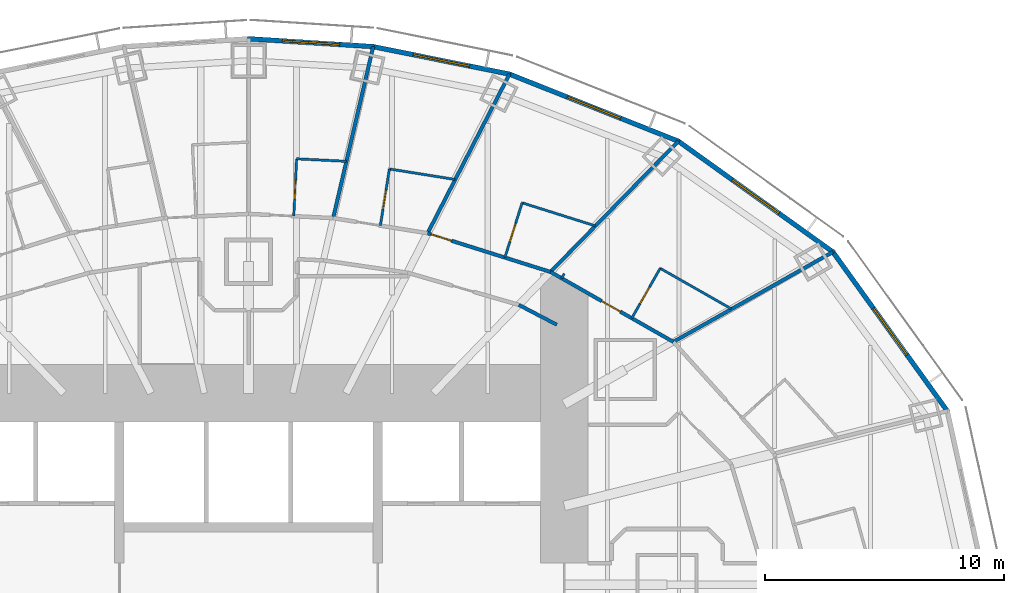
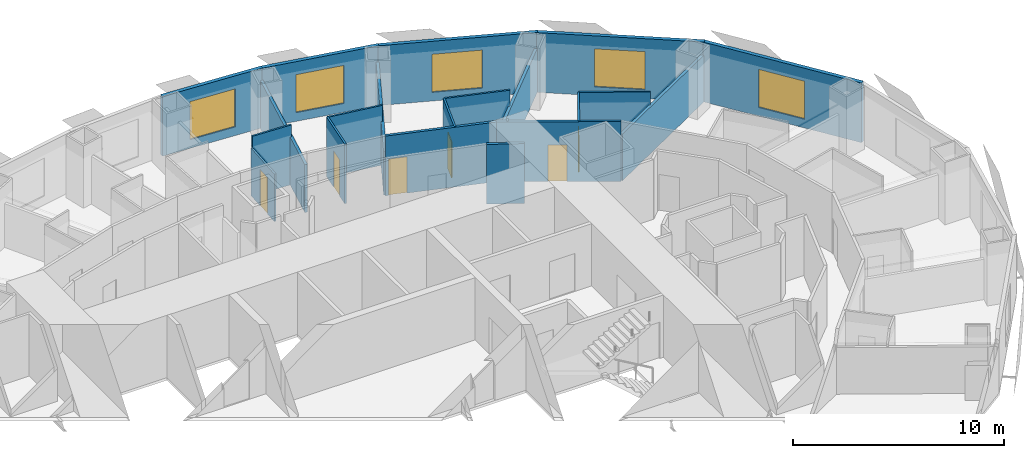
# One storey, part 11 of 17: 21 walls, 6 doors, 5 windows, 11 openings.
"""IFC4 building model written with IfcOpenShell, lengths in metres."""

from ifc_helpers import new_model, si_unit, direction, frame, frame_2d, origin, place, context, subcontext, project, spatial, rectangle, extrude, material, layer, layer_set, type_object, element, fill, save


model = new_model("IFC4")

# Units and contexts
model_context = context("Model", 3, precision=1e-05, world=origin(), true_north=direction((0.0, 1.0)))
body_context = subcontext(model_context, "Body", "Model", "MODEL_VIEW")
ifc_project = project(units=[si_unit("LENGTHUNIT", "METRE"), si_unit("AREAUNIT", "SQUARE_METRE"), si_unit("VOLUMEUNIT", "CUBIC_METRE"), si_unit("PLANEANGLEUNIT", "RADIAN"), si_unit("MASSUNIT", "GRAM", prefix="KILO")], contexts=[model_context])

# Site, building, storey
site_placement = place(None, origin())
site = spatial("IfcSite", under=ifc_project, at=site_placement, CompositionType="ELEMENT")
building_placement = place(site_placement, origin())
building = spatial("IfcBuilding", under=site, at=building_placement, Name="Lantaw Convention Tower", CompositionType="ELEMENT")
storey_placement = place(building_placement, frame((0.0, 0.0, 40.60009765625)))
storey = spatial("IfcBuildingStorey", under=building, at=storey_placement, Name="L07", CompositionType="ELEMENT", Elevation=40.60009765625)

# Wall, opening, door
ifc_material_1 = material(Name="Moisture resistant gypsum board on steel studs", Category="steel")
ifc_layer_1 = layer(ifc_material_1, 0.10009765625)
ifc_layer_set_1 = layer_set([ifc_layer_1], Name="Bathroom wall 100")
wall_type_1 = type_object("IfcWallType", Name="Bathroom wall 100", PredefinedType="PARTITIONING", material=ifc_layer_set_1)
wall_1_placement = place(storey_placement, frame((16.023193359375, 11.138671875, 0.0), z_axis=(0.0, 0.0, 1.0), x_axis=(0.494659381266, 0.869086932663, 0.0)))
wall_1 = element("IfcWall", 1, at=wall_1_placement, inside=storey, type_object=wall_type_1, Name="Bathroom wall 100", PredefinedType="PARTITIONING", context=body_context, shape_type="SweptSolid", body=[
    extrude(rectangle(XDim=2.400146484375, YDim=0.10009765625, at=frame_2d((1.2001953125, 0.0))), origin(), (0.0, 0.0, 1.0), 3.449951171875),
])
opening_1_placement = place(wall_1_placement, frame((0.699951171875, 0.0, 0.0)))
opening_1 = element("IfcOpeningElement", 2, at=opening_1_placement, cuts=wall_1, Name="Opening L07.29", PredefinedType="OPENING", context=body_context, shape_type="SweptSolid", body=[
    extrude(rectangle(XDim=0.800048828125, YDim=2.10009765625, at=frame_2d((0.39990234375, 1.050048828125))), frame((0.0, 0.06005859375, 0.0), z_axis=(0.0, -1.0, 0.0), x_axis=(1.0, 0.0, 0.0)), (0.0, 0.0, 1.0), 0.1201171875),
])
ifc_material_2 = material(Name="Timber", Category="wood")
door_type_1 = type_object("IfcDoorType", Name="Bathroom door 800", OperationType="SINGLE_SWING_LEFT", PredefinedType="DOOR", material=ifc_material_2)
door_1_placement = place(opening_1_placement, origin())
door_1 = element("IfcDoor", 3, at=door_1_placement, inside=storey, type_object=door_type_1, Name="Bathroom door", OperationType="SINGLE_SWING_LEFT", OverallHeight=2.10009765625, OverallWidth=0.800048828125, PredefinedType="DOOR", context=body_context, shape_type="SweptSolid", body=[
    extrude(rectangle(XDim=0.800048828125, YDim=2.10009765625, at=frame_2d((0.39990234375, 1.050048828125))), frame((0.0, 0.02490234375, 0.0), z_axis=(0.0, -1.0, 0.0), x_axis=(1.0, 0.0, 0.0)), (0.0, 0.0, 1.0), 0.050048828125),
])
fill(opening_1, door_1)

# Wall
wall_2_placement = place(storey_placement, frame((17.21044921875, 13.224609375, 0.0), z_axis=(0.0, 0.0, 1.0), x_axis=(0.869041592831, -0.494739032147, 0.0)))
element("IfcWall", 4, at=wall_2_placement, inside=storey, type_object=wall_type_1, Name="Bathroom wall 100", PredefinedType="PARTITIONING", context=body_context, shape_type="SweptSolid", body=[
    extrude(rectangle(XDim=3.419677734375, YDim=0.10009765625, at=frame_2d((1.7099609375, 0.0))), origin(), (0.0, 0.0, 1.0), 3.449951171875),
])

# Wall, opening, door
wall_3_placement = place(storey_placement, frame((10.71728515625, 13.67431640625, 0.0), z_axis=(0.0, 0.0, 1.0), x_axis=(0.30049839721, 0.953782319649, 0.0)))
wall_3 = element("IfcWall", 5, at=wall_3_placement, inside=storey, type_object=wall_type_1, Name="Bathroom wall 100", PredefinedType="PARTITIONING", context=body_context, shape_type="SweptSolid", body=[
    extrude(rectangle(XDim=2.39990234375, YDim=0.10009765625, at=frame_2d((1.199951171875, 0.0))), origin(), (0.0, 0.0, 1.0), 3.449951171875),
])
opening_2_placement = place(wall_3_placement, frame((0.699951171875, 0.0, 0.0)))
opening_2 = element("IfcOpeningElement", 6, at=opening_2_placement, cuts=wall_3, Name="Opening L07.31", PredefinedType="OPENING", context=body_context, shape_type="SweptSolid", body=[
    extrude(rectangle(XDim=0.800048828125, YDim=2.10009765625, at=frame_2d((0.39990234375, 1.050048828125))), frame((0.0, 0.06005859375, 0.0), z_axis=(0.0, -1.0, 0.0), x_axis=(1.0, 0.0, 0.0)), (0.0, 0.0, 1.0), 0.1201171875),
])
door_2_placement = place(opening_2_placement, origin())
door_2 = element("IfcDoor", 7, at=door_2_placement, inside=storey, type_object=door_type_1, Name="Bathroom door", OperationType="SINGLE_SWING_LEFT", OverallHeight=2.10009765625, OverallWidth=0.800048828125, PredefinedType="DOOR", context=body_context, shape_type="SweptSolid", body=[
    extrude(rectangle(XDim=0.800048828125, YDim=2.10009765625, at=frame_2d((0.39990234375, 1.050048828125))), frame((0.0, 0.02490234375, 0.0), z_axis=(0.0, -1.0, 0.0), x_axis=(1.0, 0.0, 0.0)), (0.0, 0.0, 1.0), 0.050048828125),
])
fill(opening_2, door_2)

# Wall
wall_4_placement = place(storey_placement, frame((11.4384765625, 15.96337890625, 0.0), z_axis=(0.0, 0.0, 1.0), x_axis=(0.953784420519, -0.300491728963, 0.0)))
element("IfcWall", 8, at=wall_4_placement, inside=storey, type_object=wall_type_1, Name="Bathroom wall 100", PredefinedType="PARTITIONING", context=body_context, shape_type="SweptSolid", body=[
    extrude(rectangle(XDim=3.197021484375, YDim=0.10009765625, at=frame_2d((1.5986328125, 0.0))), origin(), (0.0, 0.0, 1.0), 3.449951171875),
])

# Wall, opening, door
wall_5_placement = place(storey_placement, frame((5.51123046875, 15.008056640625, 0.0), z_axis=(0.0, 0.0, 1.0), x_axis=(0.157780217218, 0.987474254376, 0.0)))
wall_5 = element("IfcWall", 9, at=wall_5_placement, inside=storey, type_object=wall_type_1, Name="Bathroom wall 100", PredefinedType="PARTITIONING", context=body_context, shape_type="SweptSolid", body=[
    extrude(rectangle(XDim=2.39990234375, YDim=0.10009765625, at=frame_2d((1.199951171875, 0.0))), origin(), (0.0, 0.0, 1.0), 3.449951171875),
])
opening_3_placement = place(wall_5_placement, frame((0.699951171875, 0.0, 0.0)))
opening_3 = element("IfcOpeningElement", 10, at=opening_3_placement, cuts=wall_5, Name="Opening L07.33", PredefinedType="OPENING", context=body_context, shape_type="SweptSolid", body=[
    extrude(rectangle(XDim=0.800048828125, YDim=2.10009765625, at=frame_2d((0.39990234375, 1.050048828125))), frame((0.0, 0.06005859375, 0.0), z_axis=(0.0, -1.0, 0.0), x_axis=(1.0, 0.0, 0.0)), (0.0, 0.0, 1.0), 0.1201171875),
])
door_3_placement = place(opening_3_placement, origin())
door_3 = element("IfcDoor", 11, at=door_3_placement, inside=storey, type_object=door_type_1, Name="Bathroom door", OperationType="SINGLE_SWING_LEFT", OverallHeight=2.10009765625, OverallWidth=0.800048828125, PredefinedType="DOOR", context=body_context, shape_type="SweptSolid", body=[
    extrude(rectangle(XDim=0.800048828125, YDim=2.10009765625, at=frame_2d((0.39990234375, 1.050048828125))), frame((0.0, 0.02490234375, 0.0), z_axis=(0.0, -1.0, 0.0), x_axis=(1.0, 0.0, 0.0)), (0.0, 0.0, 1.0), 0.050048828125),
])
fill(opening_3, door_3)

# Wall
wall_6_placement = place(storey_placement, frame((5.889892578125, 17.3779296875, 0.0), z_axis=(0.0, 0.0, 1.0), x_axis=(0.987476824576, -0.15776413067, 0.0)))
element("IfcWall", 12, at=wall_6_placement, inside=storey, type_object=wall_type_1, Name="Bathroom wall 100", PredefinedType="PARTITIONING", context=body_context, shape_type="SweptSolid", body=[
    extrude(rectangle(XDim=2.776123046875, YDim=0.10009765625, at=frame_2d((1.38818359375, 0.0))), origin(), (0.0, 0.0, 1.0), 3.449951171875),
])

# Wall, opening, door
wall_7_placement = place(storey_placement, frame((1.8896484375, 15.40576171875, 0.0), z_axis=(0.0, 0.0, 1.0), x_axis=(0.049947764234, 0.998751831462, 0.0)))
wall_7 = element("IfcWall", 13, at=wall_7_placement, inside=storey, type_object=wall_type_1, Name="Bathroom wall 100", PredefinedType="PARTITIONING", context=body_context, shape_type="SweptSolid", body=[
    extrude(rectangle(XDim=2.39990234375, YDim=0.10009765625, at=frame_2d((1.199951171875, 0.0))), origin(), (0.0, 0.0, 1.0), 2.748779296875),
])
opening_4_placement = place(wall_7_placement, frame((0.699951171875, 0.0, 0.0)))
opening_4 = element("IfcOpeningElement", 14, at=opening_4_placement, cuts=wall_7, Name="Opening L07.35", PredefinedType="OPENING", context=body_context, shape_type="SweptSolid", body=[
    extrude(rectangle(XDim=0.800048828125, YDim=2.10009765625, at=frame_2d((0.39990234375, 1.050048828125))), frame((0.0, 0.06005859375, 0.0), z_axis=(0.0, -1.0, 0.0), x_axis=(1.0, 0.0, 0.0)), (0.0, 0.0, 1.0), 0.1201171875),
])
door_4_placement = place(opening_4_placement, origin())
door_4 = element("IfcDoor", 15, at=door_4_placement, inside=storey, type_object=door_type_1, Name="Bathroom door", OperationType="SINGLE_SWING_LEFT", OverallHeight=2.10009765625, OverallWidth=0.800048828125, PredefinedType="DOOR", context=body_context, shape_type="SweptSolid", body=[
    extrude(rectangle(XDim=0.800048828125, YDim=2.10009765625, at=frame_2d((0.39990234375, 1.050048828125))), frame((0.0, 0.02490234375, 0.0), z_axis=(0.0, -1.0, 0.0), x_axis=(1.0, 0.0, 0.0)), (0.0, 0.0, 1.0), 0.050048828125),
])
fill(opening_4, door_4)

# Wall
wall_8_placement = place(storey_placement, frame((2.009521484375, 17.802734375, 0.0), z_axis=(0.0, 0.0, 1.0), x_axis=(0.998754095132, -0.049902479477, 0.0)))
element("IfcWall", 16, at=wall_8_placement, inside=storey, type_object=wall_type_1, Name="Bathroom wall 100", PredefinedType="PARTITIONING", context=body_context, shape_type="SweptSolid", body=[
    extrude(rectangle(XDim=2.079345703125, YDim=0.10009765625, at=frame_2d((1.03955078125, 0.0))), origin(), (0.0, 0.0, 1.0), 3.449951171875),
])

# Wall, opening, door
ifc_material_3 = material(Name="Gypsum board on steel studs, fire rated", Category="steel")
ifc_layer_2 = layer(ifc_material_3, 0.14990234375)
ifc_layer_set_2 = layer_set([ifc_layer_2], Name="Corridor wall 150 EI 60")
wall_type_2 = type_object("IfcWallType", Name="Corridor wall 150 EI 60", PredefinedType="PARTITIONING", material=ifc_layer_set_2)
wall_9_placement = place(storey_placement, frame((17.761474609375, 10.1494140625, 0.0), z_axis=(0.0, 0.0, 1.0), x_axis=(-0.86907565943, 0.494679187136, 0.0)))
wall_9 = element("IfcWall", 17, at=wall_9_placement, inside=storey, type_object=wall_type_2, Name="Corridor wall 150", PredefinedType="PARTITIONING", context=body_context, shape_type="SweptSolid", body=[
    extrude(rectangle(XDim=5.91064453125, YDim=0.14990234375, at=frame_2d((2.955322265625, 0.0))), origin(), (0.0, 0.0, 1.0), 3.449951171875),
])
opening_5_placement = place(wall_9_placement, frame((2.550048828125, 0.0, 0.0)))
opening_5 = element("IfcOpeningElement", 18, at=opening_5_placement, cuts=wall_9, Name="Opening L07.30", PredefinedType="OPENING", context=body_context, shape_type="SweptSolid", body=[
    extrude(rectangle(XDim=0.89990234375, YDim=2.10009765625, at=frame_2d((0.449951171875, 1.050048828125))), frame((0.0, 0.0849609375, 0.0), z_axis=(0.0, -1.0, 0.0), x_axis=(1.0, 0.0, 0.0)), (0.0, 0.0, 1.0), 0.169921875),
])
ifc_material_4 = material(Name="Steel, fire rated", Category="steel")
door_type_2 = type_object("IfcDoorType", Name="Guest room entrance door FD30S", OperationType="SINGLE_SWING_LEFT", PredefinedType="DOOR", material=ifc_material_4)
door_5_placement = place(opening_5_placement, origin())
door_5 = element("IfcDoor", 19, at=door_5_placement, inside=storey, type_object=door_type_2, Name="Guest room entrance door", OperationType="SINGLE_SWING_LEFT", OverallHeight=2.10009765625, OverallWidth=0.89990234375, PredefinedType="DOOR", context=body_context, shape_type="SweptSolid", body=[
    extrude(rectangle(XDim=0.89990234375, YDim=2.10009765625, at=frame_2d((0.449951171875, 1.050048828125))), frame((0.0, 0.02490234375, 0.0), z_axis=(0.0, -1.0, 0.0), x_axis=(1.0, 0.0, 0.0)), (0.0, 0.0, 1.0), 0.050048828125),
])
fill(opening_5, door_5)

wall_10_placement = place(storey_placement, frame((12.624755859375, 13.0732421875, 0.0), z_axis=(0.0, 0.0, 1.0), x_axis=(-0.953774229808, 0.30052407317, 0.0)))
wall_10 = element("IfcWall", 20, at=wall_10_placement, inside=storey, type_object=wall_type_2, Name="Corridor wall 150", PredefinedType="PARTITIONING", context=body_context, shape_type="SweptSolid", body=[
    extrude(rectangle(XDim=5.3876953125, YDim=0.14990234375, at=frame_2d((2.69384765625, 0.0))), origin(), (0.0, 0.0, 1.0), 3.449951171875),
])
opening_6_placement = place(wall_10_placement, frame((4.337646484375, 0.0, 0.0)))
opening_6 = element("IfcOpeningElement", 21, at=opening_6_placement, cuts=wall_10, Name="Opening L07.32", PredefinedType="OPENING", context=body_context, shape_type="SweptSolid", body=[
    extrude(rectangle(XDim=0.89990234375, YDim=2.10009765625, at=frame_2d((0.449951171875, 1.050048828125))), frame((0.0, 0.0849609375, 0.0), z_axis=(0.0, -1.0, 0.0), x_axis=(1.0, 0.0, 0.0)), (0.0, 0.0, 1.0), 0.169921875),
])
door_6_placement = place(opening_6_placement, origin())
door_6 = element("IfcDoor", 22, at=door_6_placement, inside=storey, type_object=door_type_2, Name="Guest room entrance door", OperationType="SINGLE_SWING_LEFT", OverallHeight=2.10009765625, OverallWidth=0.89990234375, PredefinedType="DOOR", context=body_context, shape_type="SweptSolid", body=[
    extrude(rectangle(XDim=0.89990234375, YDim=2.10009765625, at=frame_2d((0.449951171875, 1.050048828125))), frame((0.0, 0.02490234375, 0.0), z_axis=(0.0, -1.0, 0.0), x_axis=(1.0, 0.0, 0.0)), (0.0, 0.0, 1.0), 0.050048828125),
])
fill(opening_6, door_6)

# Wall
wall_11_placement = place(storey_placement, frame((12.889892578125, 10.86474609375, 0.0), z_axis=(0.0, 0.0, 1.0), x_axis=(-0.886301440762, 0.463108795104, 0.0)))
element("IfcWall", 23, at=wall_11_placement, inside=storey, type_object=wall_type_2, Name="Corridor wall 150", PredefinedType="PARTITIONING", context=body_context, shape_type="SweptSolid", body=[
    extrude(rectangle(XDim=1.798095703125, YDim=0.14990234375, at=frame_2d((0.89892578125, 0.0))), origin(), (0.0, 0.0, 1.0), 3.449951171875),
])

# Wall, opening, window
ifc_material_5 = material(Name="Insulated aluminium panel on steel frame", Category="steel")
ifc_layer_3 = layer(ifc_material_5, 0.199951171875)
ifc_layer_set_3 = layer_set([ifc_layer_3], Name="External wall 200")
wall_type_3 = type_object("IfcWallType", Name="External wall 200", PredefinedType="SOLIDWALL", material=ifc_layer_set_3)
wall_12_placement = place(storey_placement, frame((29.260498046875, 7.199951171875, 0.0), z_axis=(0.0, 0.0, 1.0), x_axis=(-0.583937613703, 0.811798536155, 0.0)))
wall_12 = element("IfcWall", 24, at=wall_12_placement, inside=storey, type_object=wall_type_3, Name="Facade panel wall", PredefinedType="SOLIDWALL", context=body_context, shape_type="SweptSolid", body=[
    extrude(rectangle(XDim=8.322998046875, YDim=0.199951171875, at=frame_2d((4.16162109375, 0.0))), origin(), (0.0, 0.0, 1.0), 3.449951171875),
])
opening_7_placement = place(wall_12_placement, frame((2.96142578125, 0.0, 0.5)))
opening_7 = element("IfcOpeningElement", 25, at=opening_7_placement, cuts=wall_12, Name="Opening W1", PredefinedType="OPENING", context=body_context, shape_type="SweptSolid", body=[
    extrude(rectangle(XDim=2.39990234375, YDim=2.199951171875, at=frame_2d((1.199951171875, 1.10009765625))), frame((0.0, 0.10986328125, 0.0), z_axis=(0.0, -1.0, 0.0), x_axis=(1.0, 0.0, 0.0)), (0.0, 0.0, 1.0), 0.219970703125),
])
ifc_material_6 = material(Name="Aluminium frame, clear insulating glass", Category="aluminium")
window_type = type_object("IfcWindowType", Name="Guest room window 2400x2200", PartitioningType="SINGLE_PANEL", PredefinedType="WINDOW", material=ifc_material_6)
window_1_placement = place(opening_7_placement, origin())
window_1 = element("IfcWindow", 26, at=window_1_placement, inside=storey, type_object=window_type, Name="Guest room window", OverallHeight=2.199951171875, OverallWidth=2.39990234375, PartitioningType="SINGLE_PANEL", PredefinedType="WINDOW", context=body_context, shape_type="SweptSolid", body=[
    extrude(rectangle(XDim=2.39990234375, YDim=2.199951171875, at=frame_2d((1.199951171875, 1.10009765625))), frame((0.0, 0.030029296875, 0.0), z_axis=(0.0, -1.0, 0.0), x_axis=(1.0, 0.0, 0.0)), (0.0, 0.0, 1.0), 0.06005859375),
])
fill(opening_7, window_1)

wall_13_placement = place(storey_placement, frame((24.482421875, 13.87451171875, 0.0), z_axis=(0.0, 0.0, 1.0), x_axis=(-0.812791321576, 0.582554948112, 0.0)))
wall_13 = element("IfcWall", 27, at=wall_13_placement, inside=storey, type_object=wall_type_3, Name="Facade panel wall", PredefinedType="SOLIDWALL", context=body_context, shape_type="SweptSolid", body=[
    extrude(rectangle(XDim=8.063232421875, YDim=0.199951171875, at=frame_2d((4.03173828125, 0.0))), origin(), (0.0, 0.0, 1.0), 3.449951171875),
])
opening_8_placement = place(wall_13_placement, frame((2.83154296875, 0.0, 0.5)))
opening_8 = element("IfcOpeningElement", 28, at=opening_8_placement, cuts=wall_13, Name="Opening W1", PredefinedType="OPENING", context=body_context, shape_type="SweptSolid", body=[
    extrude(rectangle(XDim=2.39990234375, YDim=2.199951171875, at=frame_2d((1.199951171875, 1.10009765625))), frame((0.0, 0.10986328125, 0.0), z_axis=(0.0, -1.0, 0.0), x_axis=(1.0, 0.0, 0.0)), (0.0, 0.0, 1.0), 0.219970703125),
])
window_2_placement = place(opening_8_placement, origin())
window_2 = element("IfcWindow", 29, at=window_2_placement, inside=storey, type_object=window_type, Name="Guest room window", OverallHeight=2.199951171875, OverallWidth=2.39990234375, PartitioningType="SINGLE_PANEL", PredefinedType="WINDOW", context=body_context, shape_type="SweptSolid", body=[
    extrude(rectangle(XDim=2.39990234375, YDim=2.199951171875, at=frame_2d((1.199951171875, 1.10009765625))), frame((0.0, 0.030029296875, 0.0), z_axis=(0.0, -1.0, 0.0), x_axis=(1.0, 0.0, 0.0)), (0.0, 0.0, 1.0), 0.06005859375),
])
fill(opening_8, window_2)

wall_14_placement = place(storey_placement, frame((18.018310546875, 18.522705078125, 0.0), z_axis=(0.0, 0.0, 1.0), x_axis=(-0.929358351251, 0.369178892895, 0.0)))
wall_14 = element("IfcWall", 30, at=wall_14_placement, inside=storey, type_object=wall_type_3, Name="Facade panel wall", PredefinedType="SOLIDWALL", context=body_context, shape_type="SweptSolid", body=[
    extrude(rectangle(XDim=7.6923828125, YDim=0.199951171875, at=frame_2d((3.84619140625, 0.0))), origin(), (0.0, 0.0, 1.0), 3.449951171875),
])
opening_9_placement = place(wall_14_placement, frame((2.64599609375, 0.0, 0.5)))
opening_9 = element("IfcOpeningElement", 31, at=opening_9_placement, cuts=wall_14, Name="Opening W1", PredefinedType="OPENING", context=body_context, shape_type="SweptSolid", body=[
    extrude(rectangle(XDim=2.39990234375, YDim=2.199951171875, at=frame_2d((1.199951171875, 1.10009765625))), frame((0.0, 0.10986328125, 0.0), z_axis=(0.0, -1.0, 0.0), x_axis=(1.0, 0.0, 0.0)), (0.0, 0.0, 1.0), 0.219970703125),
])
window_3_placement = place(opening_9_placement, origin())
window_3 = element("IfcWindow", 32, at=window_3_placement, inside=storey, type_object=window_type, Name="Guest room window", OverallHeight=2.199951171875, OverallWidth=2.39990234375, PartitioningType="SINGLE_PANEL", PredefinedType="WINDOW", context=body_context, shape_type="SweptSolid", body=[
    extrude(rectangle(XDim=2.39990234375, YDim=2.199951171875, at=frame_2d((1.199951171875, 1.10009765625))), frame((0.0, 0.030029296875, 0.0), z_axis=(0.0, -1.0, 0.0), x_axis=(1.0, 0.0, 0.0)), (0.0, 0.0, 1.0), 0.06005859375),
])
fill(opening_9, window_3)

wall_15_placement = place(storey_placement, frame((10.956787109375, 21.336669921875, 0.0), z_axis=(0.0, 0.0, 1.0), x_axis=(-0.980251657452, 0.197754110105, 0.0)))
wall_15 = element("IfcWall", 33, at=wall_15_placement, inside=storey, type_object=wall_type_3, Name="Facade panel wall", PredefinedType="SOLIDWALL", context=body_context, shape_type="SweptSolid", body=[
    extrude(rectangle(XDim=5.90380859375, YDim=0.199951171875, at=frame_2d((2.951904296875, 0.0))), origin(), (0.0, 0.0, 1.0), 3.449951171875),
])
opening_10_placement = place(wall_15_placement, frame((1.751708984375, 0.0, 0.5)))
opening_10 = element("IfcOpeningElement", 34, at=opening_10_placement, cuts=wall_15, Name="Opening W1", PredefinedType="OPENING", context=body_context, shape_type="SweptSolid", body=[
    extrude(rectangle(XDim=2.39990234375, YDim=2.199951171875, at=frame_2d((1.199951171875, 1.10009765625))), frame((0.0, 0.10986328125, 0.0), z_axis=(0.0, -1.0, 0.0), x_axis=(1.0, 0.0, 0.0)), (0.0, 0.0, 1.0), 0.219970703125),
])
window_4_placement = place(opening_10_placement, origin())
window_4 = element("IfcWindow", 35, at=window_4_placement, inside=storey, type_object=window_type, Name="Guest room window", OverallHeight=2.199951171875, OverallWidth=2.39990234375, PartitioningType="SINGLE_PANEL", PredefinedType="WINDOW", context=body_context, shape_type="SweptSolid", body=[
    extrude(rectangle(XDim=2.39990234375, YDim=2.199951171875, at=frame_2d((1.199951171875, 1.10009765625))), frame((0.0, 0.030029296875, 0.0), z_axis=(0.0, -1.0, 0.0), x_axis=(1.0, 0.0, 0.0)), (0.0, 0.0, 1.0), 0.06005859375),
])
fill(opening_10, window_4)

wall_16_placement = place(storey_placement, frame((5.252685546875, 22.493408203125, 0.0), z_axis=(0.0, 0.0, 1.0), x_axis=(-0.998018582375, 0.062919863585, 0.0)))
wall_16 = element("IfcWall", 36, at=wall_16_placement, inside=storey, type_object=wall_type_3, Name="Facade panel wall", PredefinedType="SOLIDWALL", context=body_context, shape_type="SweptSolid", body=[
    extrude(rectangle(XDim=5.30419921875, YDim=0.199951171875, at=frame_2d((2.652099609375, 0.0))), origin(), (0.0, 0.0, 1.0), 3.449951171875),
])
opening_11_placement = place(wall_16_placement, frame((1.4521484375, 0.0, 0.5)))
opening_11 = element("IfcOpeningElement", 37, at=opening_11_placement, cuts=wall_16, Name="Opening W1", PredefinedType="OPENING", context=body_context, shape_type="SweptSolid", body=[
    extrude(rectangle(XDim=2.39990234375, YDim=2.199951171875, at=frame_2d((1.199951171875, 1.10009765625))), frame((0.0, 0.10986328125, 0.0), z_axis=(0.0, -1.0, 0.0), x_axis=(1.0, 0.0, 0.0)), (0.0, 0.0, 1.0), 0.219970703125),
])
window_5_placement = place(opening_11_placement, origin())
window_5 = element("IfcWindow", 38, at=window_5_placement, inside=storey, type_object=window_type, Name="Guest room window", OverallHeight=2.199951171875, OverallWidth=2.39990234375, PartitioningType="SINGLE_PANEL", PredefinedType="WINDOW", context=body_context, shape_type="SweptSolid", body=[
    extrude(rectangle(XDim=2.39990234375, YDim=2.199951171875, at=frame_2d((1.199951171875, 1.10009765625))), frame((0.0, 0.030029296875, 0.0), z_axis=(0.0, -1.0, 0.0), x_axis=(1.0, 0.0, 0.0)), (0.0, 0.0, 1.0), 0.06005859375),
])
fill(opening_11, window_5)

# Walls
ifc_material_7 = material(Name="Gypsum board on steel studs, acoustic", Category="steel")
ifc_layer_4 = layer(ifc_material_7, 0.14990234375)
ifc_layer_set_4 = layer_set([ifc_layer_4], Name="Guest room party wall 150")
wall_type_4 = type_object("IfcWallType", Name="Guest room party wall 150", PredefinedType="PARTITIONING", material=ifc_layer_set_4)
wall_17_placement = place(storey_placement, frame((24.434814453125, 13.90869140625, 0.0), z_axis=(0.0, 0.0, 1.0), x_axis=(-0.871267209855, -0.490808974074, 0.0)))
element("IfcWall", 39, at=wall_17_placement, inside=storey, type_object=wall_type_4, Name="Guest room party wall 150", PredefinedType="PARTITIONING", context=body_context, shape_type="SweptSolid", body=[
    extrude(rectangle(XDim=7.659423828125, YDim=0.14990234375, at=frame_2d((3.82958984375, 0.0))), origin(), (0.0, 0.0, 1.0), 2.69287109375),
])
wall_18_placement = place(storey_placement, frame((17.970458984375, 18.541748046875, 0.0), z_axis=(0.0, 0.0, 1.0), x_axis=(-0.699032031211, -0.715090357467, 0.0)))
element("IfcWall", 40, at=wall_18_placement, inside=storey, type_object=wall_type_4, Name="Guest room party wall 150", PredefinedType="PARTITIONING", context=body_context, shape_type="SweptSolid", body=[
    extrude(rectangle(XDim=7.647216796875, YDim=0.14990234375, at=frame_2d((3.82373046875, 0.0))), origin(), (0.0, 0.0, 1.0), 2.52783203125),
])
wall_19_placement = place(storey_placement, frame((10.911865234375, 21.345703125, 0.0), z_axis=(0.0, 0.0, 1.0), x_axis=(-0.45777845119, -0.889066302154, 0.0)))
element("IfcWall", 41, at=wall_19_placement, inside=storey, type_object=wall_type_4, Name="Guest room party wall 150", PredefinedType="PARTITIONING", context=body_context, shape_type="SweptSolid", body=[
    extrude(rectangle(XDim=7.4833984375, YDim=0.14990234375, at=frame_2d((3.74169921875, 0.0))), origin(), (0.0, 0.0, 1.0), 2.52783203125),
])
wall_20_placement = place(storey_placement, frame((5.2109375, 22.495849609375, 0.0), z_axis=(0.0, 0.0, 1.0), x_axis=(-0.227195035564, -0.973849277771, 0.0)))
element("IfcWall", 42, at=wall_20_placement, inside=storey, type_object=wall_type_4, Name="Guest room party wall 150", PredefinedType="PARTITIONING", context=body_context, shape_type="SweptSolid", body=[
    extrude(rectangle(XDim=7.365234375, YDim=0.14990234375, at=frame_2d((3.6826171875, 0.0))), origin(), (0.0, 0.0, 1.0), 2.7666015625),
])
ifc_layer_5 = layer(ifc_material_7, 0.10009765625)
ifc_layer_set_5 = layer_set([ifc_layer_5], Name="Office partition 100")
wall_type_5 = type_object("IfcWallType", Name="Office partition 100", PredefinedType="PARTITIONING", material=ifc_layer_set_5)
wall_21_placement = place(storey_placement, frame((13.199951171875, 13.0, 0.0), z_axis=(0.0, 0.0, 1.0), x_axis=(-0.49435138335, -0.869262164011, 0.0)))
element("IfcWall", 43, at=wall_21_placement, inside=storey, type_object=wall_type_5, Name="Office partition 100", PredefinedType="PARTITIONING", context=body_context, shape_type="SweptSolid", body=[
    extrude(rectangle(XDim=0.220703125, YDim=0.10009765625, at=frame_2d((0.1103515625, 0.0))), origin(), (0.0, 0.0, 1.0), 3.449951171875),
])

save(model, "model.ifc")
